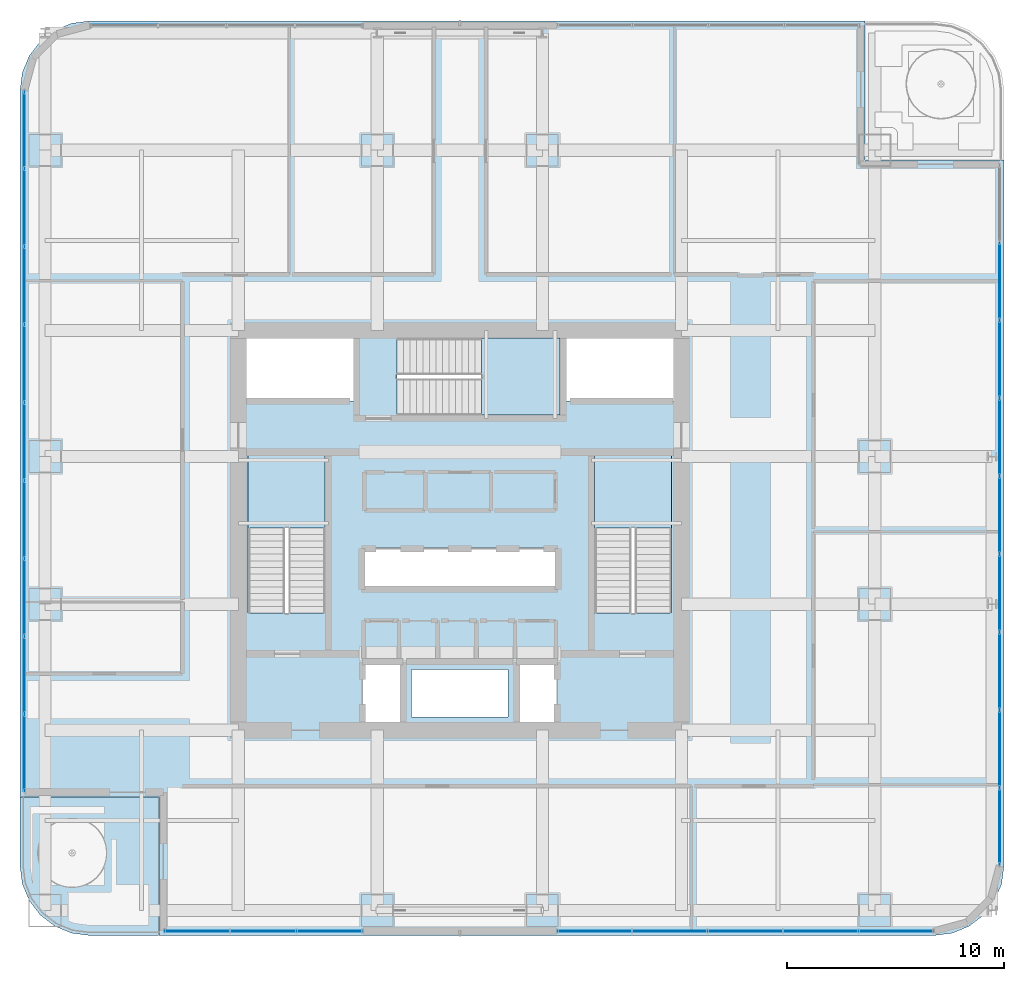
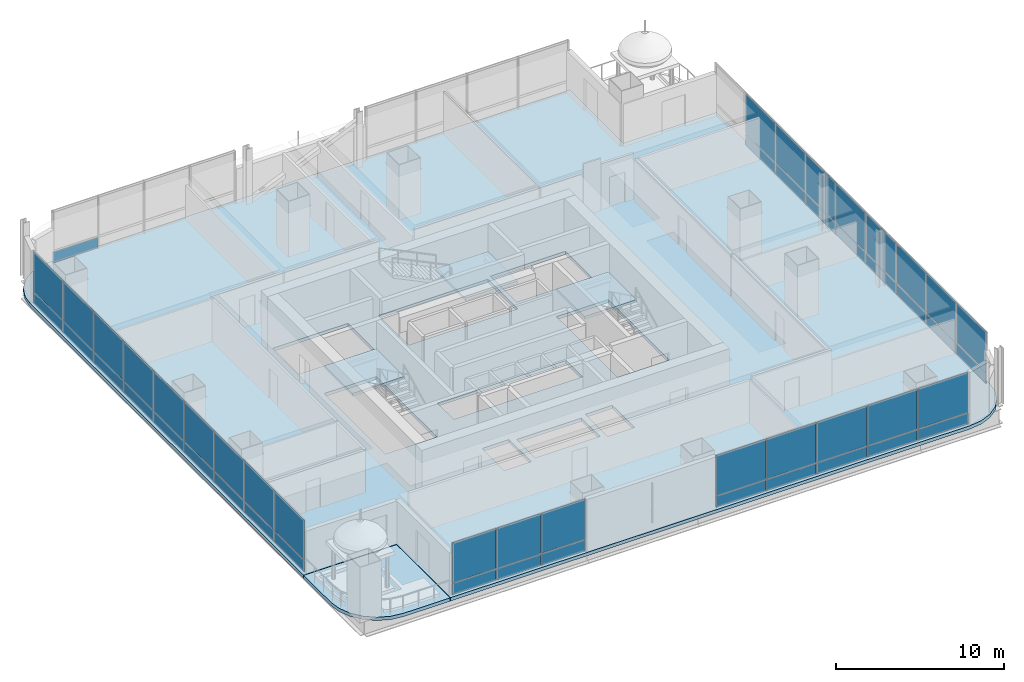
# One storey, part 23 of 37: 51 plates, 5 slabs, 8 elements without a shape of their own.
"""IFC4 building model written with IfcOpenShell, lengths in metres."""

from ifc_helpers import new_model, si_unit, direction, frame, origin, origin_2d, place, context, subcontext, project, spatial, polyline, rectangle, outline, extrude, material, layer, layer_set, type_object, element, aggregate, save


model = new_model("IFC4")

# Units and contexts
model_context = context("Model", 3, precision=1e-05, world=origin(), true_north=direction((0.0, 1.0)))
body_context = subcontext(model_context, "Body", "Model", "MODEL_VIEW")
ifc_project = project(units=[si_unit("LENGTHUNIT", "METRE"), si_unit("AREAUNIT", "SQUARE_METRE"), si_unit("VOLUMEUNIT", "CUBIC_METRE"), si_unit("PLANEANGLEUNIT", "RADIAN"), si_unit("MASSUNIT", "GRAM", prefix="KILO")], contexts=[model_context])

# Site, building, storey
site_placement = place(None, origin())
site = spatial("IfcSite", under=ifc_project, at=site_placement, CompositionType="ELEMENT")
building_placement = place(site_placement, origin())
building = spatial("IfcBuilding", under=site, at=building_placement, Name="Punatoya Terracotta Tower", CompositionType="ELEMENT")
storey_placement = place(building_placement, frame((0.0, 0.0, 109.199951171875)))
storey = spatial("IfcBuildingStorey", under=building, at=storey_placement, Name="L25", CompositionType="ELEMENT", Elevation=109.199951171875)

# Curtain wall, plates
ifc_material_1 = material(Name="Aluminium 6063-T6 + Double Low-E Glass", Category="aluminium")
curtain_wall_type = type_object("IfcCurtainWallType", Name="CW-M1", PredefinedType="NOTDEFINED", material=ifc_material_1)
curtain_wall_1_placement = place(storey_placement, origin())
curtain_wall_1 = element("IfcCurtainWall", 1, at=curtain_wall_1_placement, inside=storey, type_object=curtain_wall_type, Name="L25 Curtain Wall CW-L25-S01-1", PredefinedType="NOTDEFINED")
ifc_material_2 = material(Name="Double Low-E Clear Vision Glass", Category="glass")
ifc_layer_1 = layer(ifc_material_2, 0.028076171875)
ifc_layer_set_1 = layer_set([ifc_layer_1], Name="Double Low-E Clear Vision Glass")
plate_type_1 = type_object("IfcPlateType", Name="PLT-GLZ-28", PredefinedType="CURTAIN_PANEL", material=ifc_layer_set_1)
plate_1_placement = place(storey_placement, frame((-12.11669921875, -18.449951171875, 0.89013671875), z_axis=(0.0, 0.0, 1.0), x_axis=(1.0, 0.0, 0.0)))
plate_1 = element("IfcPlate", 2, at=plate_1_placement, type_object=plate_type_1, Name="CW-L25-S01-1 Vision Glass Panel 1", PredefinedType="CURTAIN_PANEL", context=body_context, shape_type="SweptSolid", body=[
    extrude(rectangle(XDim=2.981689453125, YDim=0.028076171875, at=origin_2d()), origin(), (0.0, 0.0, 1.0), 2.8798828125),
])
plate_2_placement = place(storey_placement, frame((-9.050048828125, -18.449951171875, 0.89013671875), z_axis=(0.0, 0.0, 1.0), x_axis=(1.0, 0.0, 0.0)))
plate_2 = element("IfcPlate", 3, at=plate_2_placement, type_object=plate_type_1, Name="CW-L25-S01-1 Vision Glass Panel 2", PredefinedType="CURTAIN_PANEL", context=body_context, shape_type="SweptSolid", body=[
    extrude(rectangle(XDim=2.981689453125, YDim=0.028076171875, at=origin_2d()), origin(), (0.0, 0.0, 1.0), 2.8798828125),
])
plate_3_placement = place(storey_placement, frame((-5.9833984375, -18.449951171875, 0.89013671875), z_axis=(0.0, 0.0, 1.0), x_axis=(1.0, 0.0, 0.0)))
plate_3 = element("IfcPlate", 4, at=plate_3_placement, type_object=plate_type_1, Name="CW-L25-S01-1 Vision Glass Panel 3", PredefinedType="CURTAIN_PANEL", context=body_context, shape_type="SweptSolid", body=[
    extrude(rectangle(XDim=2.981689453125, YDim=0.028076171875, at=origin_2d()), origin(), (0.0, 0.0, 1.0), 2.8798828125),
])

curtain_wall_2_placement = place(storey_placement, origin())
curtain_wall_2 = element("IfcCurtainWall", 5, at=curtain_wall_2_placement, inside=storey, type_object=curtain_wall_type, Name="L25 Curtain Wall CW-L25-S01-2", PredefinedType="NOTDEFINED")
plate_4_placement = place(storey_placement, frame((6.188720703125, -18.449951171875, 0.89013671875), z_axis=(0.0, 0.0, 1.0), x_axis=(1.0, 0.0, 0.0)))
plate_4 = element("IfcPlate", 6, at=plate_4_placement, type_object=plate_type_1, Name="CW-L25-S01-2 Vision Glass Panel 1", PredefinedType="CURTAIN_PANEL", context=body_context, shape_type="SweptSolid", body=[
    extrude(rectangle(XDim=3.392333984375, YDim=0.028076171875, at=origin_2d()), origin(), (0.0, 0.0, 1.0), 2.8798828125),
])
plate_5_placement = place(storey_placement, frame((9.666015625, -18.449951171875, 0.89013671875), z_axis=(0.0, 0.0, 1.0), x_axis=(1.0, 0.0, 0.0)))
plate_5 = element("IfcPlate", 7, at=plate_5_placement, type_object=plate_type_1, Name="CW-L25-S01-2 Vision Glass Panel 2", PredefinedType="CURTAIN_PANEL", context=body_context, shape_type="SweptSolid", body=[
    extrude(rectangle(XDim=3.392333984375, YDim=0.028076171875, at=origin_2d()), origin(), (0.0, 0.0, 1.0), 2.8798828125),
])
plate_6_placement = place(storey_placement, frame((13.1435546875, -18.449951171875, 0.89013671875), z_axis=(0.0, 0.0, 1.0), x_axis=(1.0, 0.0, 0.0)))
plate_6 = element("IfcPlate", 8, at=plate_6_placement, type_object=plate_type_1, Name="CW-L25-S01-2 Vision Glass Panel 3", PredefinedType="CURTAIN_PANEL", context=body_context, shape_type="SweptSolid", body=[
    extrude(rectangle(XDim=3.392333984375, YDim=0.028076171875, at=origin_2d()), origin(), (0.0, 0.0, 1.0), 2.8798828125),
])
plate_7_placement = place(storey_placement, frame((16.620849609375, -18.449951171875, 0.89013671875), z_axis=(0.0, 0.0, 1.0), x_axis=(1.0, 0.0, 0.0)))
plate_7 = element("IfcPlate", 9, at=plate_7_placement, type_object=plate_type_1, Name="CW-L25-S01-2 Vision Glass Panel 4", PredefinedType="CURTAIN_PANEL", context=body_context, shape_type="SweptSolid", body=[
    extrude(rectangle(XDim=3.392333984375, YDim=0.028076171875, at=origin_2d()), origin(), (0.0, 0.0, 1.0), 2.8798828125),
])
plate_8_placement = place(storey_placement, frame((20.09814453125, -18.449951171875, 0.89013671875), z_axis=(0.0, 0.0, 1.0), x_axis=(1.0, 0.0, 0.0)))
plate_8 = element("IfcPlate", 10, at=plate_8_placement, type_object=plate_type_1, Name="CW-L25-S01-2 Vision Glass Panel 5", PredefinedType="CURTAIN_PANEL", context=body_context, shape_type="SweptSolid", body=[
    extrude(rectangle(XDim=3.392333984375, YDim=0.028076171875, at=origin_2d()), origin(), (0.0, 0.0, 1.0), 2.8798828125),
])

curtain_wall_3_placement = place(storey_placement, origin())
curtain_wall_3 = element("IfcCurtainWall", 11, at=curtain_wall_3_placement, inside=storey, type_object=curtain_wall_type, Name="L25 Curtain Wall CW-L25-E05-1", PredefinedType="NOTDEFINED")
plate_9_placement = place(storey_placement, frame((24.85009765625, -13.643310546875, 0.89013671875), z_axis=(0.0, 0.0, 1.0), x_axis=(0.0, 1.0, 0.0)))
plate_9 = element("IfcPlate", 12, at=plate_9_placement, type_object=plate_type_1, Name="CW-L25-E05-1 Vision Glass Panel 1", PredefinedType="CURTAIN_PANEL", context=body_context, shape_type="SweptSolid", body=[
    extrude(rectangle(XDim=3.50244140625, YDim=0.028076171875, at=origin_2d()), origin(), (0.0, 0.0, 1.0), 2.8798828125),
])
plate_10_placement = place(storey_placement, frame((24.85009765625, -10.0556640625, 0.89013671875), z_axis=(0.0, 0.0, 1.0), x_axis=(0.0, 1.0, 0.0)))
plate_10 = element("IfcPlate", 13, at=plate_10_placement, type_object=plate_type_1, Name="CW-L25-E05-1 Vision Glass Panel 2", PredefinedType="CURTAIN_PANEL", context=body_context, shape_type="SweptSolid", body=[
    extrude(rectangle(XDim=3.50244140625, YDim=0.028076171875, at=origin_2d()), origin(), (0.0, 0.0, 1.0), 2.8798828125),
])
plate_11_placement = place(storey_placement, frame((24.85009765625, -6.46826171875, 0.89013671875), z_axis=(0.0, 0.0, 1.0), x_axis=(0.0, 1.0, 0.0)))
plate_11 = element("IfcPlate", 14, at=plate_11_placement, type_object=plate_type_1, Name="CW-L25-E05-1 Vision Glass Panel 3", PredefinedType="CURTAIN_PANEL", context=body_context, shape_type="SweptSolid", body=[
    extrude(rectangle(XDim=3.50244140625, YDim=0.028076171875, at=origin_2d()), origin(), (0.0, 0.0, 1.0), 2.8798828125),
])
plate_12_placement = place(storey_placement, frame((24.85009765625, -2.880859375, 0.89013671875), z_axis=(0.0, 0.0, 1.0), x_axis=(0.0, 1.0, 0.0)))
plate_12 = element("IfcPlate", 15, at=plate_12_placement, type_object=plate_type_1, Name="CW-L25-E05-1 Vision Glass Panel 4", PredefinedType="CURTAIN_PANEL", context=body_context, shape_type="SweptSolid", body=[
    extrude(rectangle(XDim=3.50244140625, YDim=0.028076171875, at=origin_2d()), origin(), (0.0, 0.0, 1.0), 2.8798828125),
])
plate_13_placement = place(storey_placement, frame((24.85009765625, 0.70654296875, 0.89013671875), z_axis=(0.0, 0.0, 1.0), x_axis=(0.0, 1.0, 0.0)))
plate_13 = element("IfcPlate", 16, at=plate_13_placement, type_object=plate_type_1, Name="CW-L25-E05-1 Vision Glass Panel 5", PredefinedType="CURTAIN_PANEL", context=body_context, shape_type="SweptSolid", body=[
    extrude(rectangle(XDim=3.50244140625, YDim=0.028076171875, at=origin_2d()), origin(), (0.0, 0.0, 1.0), 2.8798828125),
])
plate_14_placement = place(storey_placement, frame((24.85009765625, 4.2939453125, 0.89013671875), z_axis=(0.0, 0.0, 1.0), x_axis=(0.0, 1.0, 0.0)))
plate_14 = element("IfcPlate", 17, at=plate_14_placement, type_object=plate_type_1, Name="CW-L25-E05-1 Vision Glass Panel 6", PredefinedType="CURTAIN_PANEL", context=body_context, shape_type="SweptSolid", body=[
    extrude(rectangle(XDim=3.50244140625, YDim=0.028076171875, at=origin_2d()), origin(), (0.0, 0.0, 1.0), 2.8798828125),
])
plate_15_placement = place(storey_placement, frame((24.85009765625, 7.88134765625, 0.89013671875), z_axis=(0.0, 0.0, 1.0), x_axis=(0.0, 1.0, 0.0)))
plate_15 = element("IfcPlate", 18, at=plate_15_placement, type_object=plate_type_1, Name="CW-L25-E05-1 Vision Glass Panel 7", PredefinedType="CURTAIN_PANEL", context=body_context, shape_type="SweptSolid", body=[
    extrude(rectangle(XDim=3.50244140625, YDim=0.028076171875, at=origin_2d()), origin(), (0.0, 0.0, 1.0), 2.8798828125),
])
plate_16_placement = place(storey_placement, frame((24.85009765625, 11.468994140625, 0.89013671875), z_axis=(0.0, 0.0, 1.0), x_axis=(0.0, 1.0, 0.0)))
plate_16 = element("IfcPlate", 19, at=plate_16_placement, type_object=plate_type_1, Name="CW-L25-E05-1 Vision Glass Panel 8", PredefinedType="CURTAIN_PANEL", context=body_context, shape_type="SweptSolid", body=[
    extrude(rectangle(XDim=3.50244140625, YDim=0.028076171875, at=origin_2d()), origin(), (0.0, 0.0, 1.0), 2.8798828125),
])

curtain_wall_4_placement = place(storey_placement, origin())
curtain_wall_4 = element("IfcCurtainWall", 20, at=curtain_wall_4_placement, inside=storey, type_object=curtain_wall_type, Name="L25 Curtain Wall CW-L25-W12-1", PredefinedType="NOTDEFINED")
plate_17_placement = place(storey_placement, frame((-20.050048828125, 18.443115234375, 0.89013671875), z_axis=(0.0, 0.0, 1.0), x_axis=(0.0, -1.0, 0.0)))
plate_17 = element("IfcPlate", 21, at=plate_17_placement, type_object=plate_type_1, Name="CW-L25-W12-1 Vision Glass Panel 1", PredefinedType="CURTAIN_PANEL", context=body_context, shape_type="SweptSolid", body=[
    extrude(rectangle(XDim=3.50244140625, YDim=0.028076171875, at=origin_2d()), origin(), (0.0, 0.0, 1.0), 2.8798828125),
])
plate_18_placement = place(storey_placement, frame((-20.050048828125, 14.855712890625, 0.89013671875), z_axis=(0.0, 0.0, 1.0), x_axis=(0.0, -1.0, 0.0)))
plate_18 = element("IfcPlate", 22, at=plate_18_placement, type_object=plate_type_1, Name="CW-L25-W12-1 Vision Glass Panel 2", PredefinedType="CURTAIN_PANEL", context=body_context, shape_type="SweptSolid", body=[
    extrude(rectangle(XDim=3.50244140625, YDim=0.028076171875, at=origin_2d()), origin(), (0.0, 0.0, 1.0), 2.8798828125),
])
plate_19_placement = place(storey_placement, frame((-20.050048828125, 11.268310546875, 0.89013671875), z_axis=(0.0, 0.0, 1.0), x_axis=(0.0, -1.0, 0.0)))
plate_19 = element("IfcPlate", 23, at=plate_19_placement, type_object=plate_type_1, Name="CW-L25-W12-1 Vision Glass Panel 3", PredefinedType="CURTAIN_PANEL", context=body_context, shape_type="SweptSolid", body=[
    extrude(rectangle(XDim=3.50244140625, YDim=0.028076171875, at=origin_2d()), origin(), (0.0, 0.0, 1.0), 2.8798828125),
])
plate_20_placement = place(storey_placement, frame((-20.050048828125, 7.680908203125, 0.89013671875), z_axis=(0.0, 0.0, 1.0), x_axis=(0.0, -1.0, 0.0)))
plate_20 = element("IfcPlate", 24, at=plate_20_placement, type_object=plate_type_1, Name="CW-L25-W12-1 Vision Glass Panel 4", PredefinedType="CURTAIN_PANEL", context=body_context, shape_type="SweptSolid", body=[
    extrude(rectangle(XDim=3.50244140625, YDim=0.028076171875, at=origin_2d()), origin(), (0.0, 0.0, 1.0), 2.8798828125),
])
plate_21_placement = place(storey_placement, frame((-20.050048828125, 4.093505859375, 0.89013671875), z_axis=(0.0, 0.0, 1.0), x_axis=(0.0, -1.0, 0.0)))
plate_21 = element("IfcPlate", 25, at=plate_21_placement, type_object=plate_type_1, Name="CW-L25-W12-1 Vision Glass Panel 5", PredefinedType="CURTAIN_PANEL", context=body_context, shape_type="SweptSolid", body=[
    extrude(rectangle(XDim=3.50244140625, YDim=0.028076171875, at=origin_2d()), origin(), (0.0, 0.0, 1.0), 2.8798828125),
])
plate_22_placement = place(storey_placement, frame((-20.050048828125, 0.506103515625, 0.89013671875), z_axis=(0.0, 0.0, 1.0), x_axis=(0.0, -1.0, 0.0)))
plate_22 = element("IfcPlate", 26, at=plate_22_placement, type_object=plate_type_1, Name="CW-L25-W12-1 Vision Glass Panel 6", PredefinedType="CURTAIN_PANEL", context=body_context, shape_type="SweptSolid", body=[
    extrude(rectangle(XDim=3.50244140625, YDim=0.028076171875, at=origin_2d()), origin(), (0.0, 0.0, 1.0), 2.8798828125),
])
plate_23_placement = place(storey_placement, frame((-20.050048828125, -3.081298828125, 0.89013671875), z_axis=(0.0, 0.0, 1.0), x_axis=(0.0, -1.0, 0.0)))
plate_23 = element("IfcPlate", 27, at=plate_23_placement, type_object=plate_type_1, Name="CW-L25-W12-1 Vision Glass Panel 7", PredefinedType="CURTAIN_PANEL", context=body_context, shape_type="SweptSolid", body=[
    extrude(rectangle(XDim=3.50244140625, YDim=0.028076171875, at=origin_2d()), origin(), (0.0, 0.0, 1.0), 2.8798828125),
])
plate_24_placement = place(storey_placement, frame((-20.050048828125, -6.6689453125, 0.89013671875), z_axis=(0.0, 0.0, 1.0), x_axis=(0.0, -1.0, 0.0)))
plate_24 = element("IfcPlate", 28, at=plate_24_placement, type_object=plate_type_1, Name="CW-L25-W12-1 Vision Glass Panel 8", PredefinedType="CURTAIN_PANEL", context=body_context, shape_type="SweptSolid", body=[
    extrude(rectangle(XDim=3.50244140625, YDim=0.028076171875, at=origin_2d()), origin(), (0.0, 0.0, 1.0), 2.8798828125),
])
plate_25_placement = place(storey_placement, frame((-20.050048828125, -10.25634765625, 0.89013671875), z_axis=(0.0, 0.0, 1.0), x_axis=(0.0, -1.0, 0.0)))
plate_25 = element("IfcPlate", 29, at=plate_25_placement, type_object=plate_type_1, Name="CW-L25-W12-1 Vision Glass Panel 9", PredefinedType="CURTAIN_PANEL", context=body_context, shape_type="SweptSolid", body=[
    extrude(rectangle(XDim=3.50244140625, YDim=0.028076171875, at=origin_2d()), origin(), (0.0, 0.0, 1.0), 2.8798828125),
])

# Plate
ifc_material_3 = material(Name="Insulated Terracotta-Backed Spandrel Panel", Category="masonry")
ifc_layer_2 = layer(ifc_material_3, 0.044921875)
ifc_layer_set_2 = layer_set([ifc_layer_2], Name="Insulated Terracotta-Backed Spandrel Panel")
plate_type_2 = type_object("IfcPlateType", Name="PLT-SPN-45", PredefinedType="CURTAIN_PANEL", material=ifc_layer_set_2)
plate_26_placement = place(storey_placement, frame((-12.11669921875, -18.449951171875, 0.0400390625), z_axis=(0.0, 0.0, 1.0), x_axis=(1.0, 0.0, 0.0)))
plate_26 = element("IfcPlate", 30, at=plate_26_placement, type_object=plate_type_2, Name="CW-L25-S01-1 Terracotta Spandrel Panel 1", PredefinedType="CURTAIN_PANEL", context=body_context, shape_type="SweptSolid", body=[
    extrude(rectangle(XDim=2.981689453125, YDim=0.044921875, at=origin_2d()), origin(), (0.0, 0.0, 1.0), 0.77490234375),
])

plate_27_placement = place(storey_placement, frame((-9.050048828125, -18.449951171875, 0.0400390625), z_axis=(0.0, 0.0, 1.0), x_axis=(1.0, 0.0, 0.0)))
plate_27 = element("IfcPlate", 31, at=plate_27_placement, type_object=plate_type_2, Name="CW-L25-S01-1 Terracotta Spandrel Panel 2", PredefinedType="CURTAIN_PANEL", context=body_context, shape_type="SweptSolid", body=[
    extrude(rectangle(XDim=2.981689453125, YDim=0.044921875, at=origin_2d()), origin(), (0.0, 0.0, 1.0), 0.77490234375),
])

plate_28_placement = place(storey_placement, frame((-5.9833984375, -18.449951171875, 0.0400390625), z_axis=(0.0, 0.0, 1.0), x_axis=(1.0, 0.0, 0.0)))
plate_28 = element("IfcPlate", 32, at=plate_28_placement, type_object=plate_type_2, Name="CW-L25-S01-1 Terracotta Spandrel Panel 3", PredefinedType="CURTAIN_PANEL", context=body_context, shape_type="SweptSolid", body=[
    extrude(rectangle(XDim=2.981689453125, YDim=0.044921875, at=origin_2d()), origin(), (0.0, 0.0, 1.0), 0.77490234375),
])

aggregate(curtain_wall_1, [plate_26, plate_1, plate_27, plate_2, plate_28, plate_3])

plate_29_placement = place(storey_placement, frame((6.188720703125, -18.449951171875, 0.0400390625), z_axis=(0.0, 0.0, 1.0), x_axis=(1.0, 0.0, 0.0)))
plate_29 = element("IfcPlate", 33, at=plate_29_placement, type_object=plate_type_2, Name="CW-L25-S01-2 Terracotta Spandrel Panel 1", PredefinedType="CURTAIN_PANEL", context=body_context, shape_type="SweptSolid", body=[
    extrude(rectangle(XDim=3.392333984375, YDim=0.044921875, at=origin_2d()), origin(), (0.0, 0.0, 1.0), 0.77490234375),
])

plate_30_placement = place(storey_placement, frame((9.666015625, -18.449951171875, 0.0400390625), z_axis=(0.0, 0.0, 1.0), x_axis=(1.0, 0.0, 0.0)))
plate_30 = element("IfcPlate", 34, at=plate_30_placement, type_object=plate_type_2, Name="CW-L25-S01-2 Terracotta Spandrel Panel 2", PredefinedType="CURTAIN_PANEL", context=body_context, shape_type="SweptSolid", body=[
    extrude(rectangle(XDim=3.392333984375, YDim=0.044921875, at=origin_2d()), origin(), (0.0, 0.0, 1.0), 0.77490234375),
])

plate_31_placement = place(storey_placement, frame((13.1435546875, -18.449951171875, 0.0400390625), z_axis=(0.0, 0.0, 1.0), x_axis=(1.0, 0.0, 0.0)))
plate_31 = element("IfcPlate", 35, at=plate_31_placement, type_object=plate_type_2, Name="CW-L25-S01-2 Terracotta Spandrel Panel 3", PredefinedType="CURTAIN_PANEL", context=body_context, shape_type="SweptSolid", body=[
    extrude(rectangle(XDim=3.392333984375, YDim=0.044921875, at=origin_2d()), origin(), (0.0, 0.0, 1.0), 0.77490234375),
])

plate_32_placement = place(storey_placement, frame((16.620849609375, -18.449951171875, 0.0400390625), z_axis=(0.0, 0.0, 1.0), x_axis=(1.0, 0.0, 0.0)))
plate_32 = element("IfcPlate", 36, at=plate_32_placement, type_object=plate_type_2, Name="CW-L25-S01-2 Terracotta Spandrel Panel 4", PredefinedType="CURTAIN_PANEL", context=body_context, shape_type="SweptSolid", body=[
    extrude(rectangle(XDim=3.392333984375, YDim=0.044921875, at=origin_2d()), origin(), (0.0, 0.0, 1.0), 0.77490234375),
])

plate_33_placement = place(storey_placement, frame((20.09814453125, -18.449951171875, 0.0400390625), z_axis=(0.0, 0.0, 1.0), x_axis=(1.0, 0.0, 0.0)))
plate_33 = element("IfcPlate", 37, at=plate_33_placement, type_object=plate_type_2, Name="CW-L25-S01-2 Terracotta Spandrel Panel 5", PredefinedType="CURTAIN_PANEL", context=body_context, shape_type="SweptSolid", body=[
    extrude(rectangle(XDim=3.392333984375, YDim=0.044921875, at=origin_2d()), origin(), (0.0, 0.0, 1.0), 0.77490234375),
])

aggregate(curtain_wall_2, [plate_29, plate_4, plate_30, plate_5, plate_31, plate_6, plate_32, plate_7, plate_33, plate_8])

plate_34_placement = place(storey_placement, frame((24.85009765625, -13.643310546875, 0.0400390625), z_axis=(0.0, 0.0, 1.0), x_axis=(0.0, 1.0, 0.0)))
plate_34 = element("IfcPlate", 38, at=plate_34_placement, type_object=plate_type_2, Name="CW-L25-E05-1 Terracotta Spandrel Panel 1", PredefinedType="CURTAIN_PANEL", context=body_context, shape_type="SweptSolid", body=[
    extrude(rectangle(XDim=3.50244140625, YDim=0.044921875, at=origin_2d()), origin(), (0.0, 0.0, 1.0), 0.77490234375),
])

plate_35_placement = place(storey_placement, frame((24.85009765625, -10.0556640625, 0.0400390625), z_axis=(0.0, 0.0, 1.0), x_axis=(0.0, 1.0, 0.0)))
plate_35 = element("IfcPlate", 39, at=plate_35_placement, type_object=plate_type_2, Name="CW-L25-E05-1 Terracotta Spandrel Panel 2", PredefinedType="CURTAIN_PANEL", context=body_context, shape_type="SweptSolid", body=[
    extrude(rectangle(XDim=3.50244140625, YDim=0.044921875, at=origin_2d()), origin(), (0.0, 0.0, 1.0), 0.77490234375),
])

plate_36_placement = place(storey_placement, frame((24.85009765625, -6.46826171875, 0.0400390625), z_axis=(0.0, 0.0, 1.0), x_axis=(0.0, 1.0, 0.0)))
plate_36 = element("IfcPlate", 40, at=plate_36_placement, type_object=plate_type_2, Name="CW-L25-E05-1 Terracotta Spandrel Panel 3", PredefinedType="CURTAIN_PANEL", context=body_context, shape_type="SweptSolid", body=[
    extrude(rectangle(XDim=3.50244140625, YDim=0.044921875, at=origin_2d()), origin(), (0.0, 0.0, 1.0), 0.77490234375),
])

plate_37_placement = place(storey_placement, frame((24.85009765625, -2.880859375, 0.0400390625), z_axis=(0.0, 0.0, 1.0), x_axis=(0.0, 1.0, 0.0)))
plate_37 = element("IfcPlate", 41, at=plate_37_placement, type_object=plate_type_2, Name="CW-L25-E05-1 Terracotta Spandrel Panel 4", PredefinedType="CURTAIN_PANEL", context=body_context, shape_type="SweptSolid", body=[
    extrude(rectangle(XDim=3.50244140625, YDim=0.044921875, at=origin_2d()), origin(), (0.0, 0.0, 1.0), 0.77490234375),
])

plate_38_placement = place(storey_placement, frame((24.85009765625, 0.70654296875, 0.0400390625), z_axis=(0.0, 0.0, 1.0), x_axis=(0.0, 1.0, 0.0)))
plate_38 = element("IfcPlate", 42, at=plate_38_placement, type_object=plate_type_2, Name="CW-L25-E05-1 Terracotta Spandrel Panel 5", PredefinedType="CURTAIN_PANEL", context=body_context, shape_type="SweptSolid", body=[
    extrude(rectangle(XDim=3.50244140625, YDim=0.044921875, at=origin_2d()), origin(), (0.0, 0.0, 1.0), 0.77490234375),
])

plate_39_placement = place(storey_placement, frame((24.85009765625, 4.2939453125, 0.0400390625), z_axis=(0.0, 0.0, 1.0), x_axis=(0.0, 1.0, 0.0)))
plate_39 = element("IfcPlate", 43, at=plate_39_placement, type_object=plate_type_2, Name="CW-L25-E05-1 Terracotta Spandrel Panel 6", PredefinedType="CURTAIN_PANEL", context=body_context, shape_type="SweptSolid", body=[
    extrude(rectangle(XDim=3.50244140625, YDim=0.044921875, at=origin_2d()), origin(), (0.0, 0.0, 1.0), 0.77490234375),
])

plate_40_placement = place(storey_placement, frame((24.85009765625, 7.88134765625, 0.0400390625), z_axis=(0.0, 0.0, 1.0), x_axis=(0.0, 1.0, 0.0)))
plate_40 = element("IfcPlate", 44, at=plate_40_placement, type_object=plate_type_2, Name="CW-L25-E05-1 Terracotta Spandrel Panel 7", PredefinedType="CURTAIN_PANEL", context=body_context, shape_type="SweptSolid", body=[
    extrude(rectangle(XDim=3.50244140625, YDim=0.044921875, at=origin_2d()), origin(), (0.0, 0.0, 1.0), 0.77490234375),
])

plate_41_placement = place(storey_placement, frame((24.85009765625, 11.468994140625, 0.0400390625), z_axis=(0.0, 0.0, 1.0), x_axis=(0.0, 1.0, 0.0)))
plate_41 = element("IfcPlate", 45, at=plate_41_placement, type_object=plate_type_2, Name="CW-L25-E05-1 Terracotta Spandrel Panel 8", PredefinedType="CURTAIN_PANEL", context=body_context, shape_type="SweptSolid", body=[
    extrude(rectangle(XDim=3.50244140625, YDim=0.044921875, at=origin_2d()), origin(), (0.0, 0.0, 1.0), 0.77490234375),
])

aggregate(curtain_wall_3, [plate_34, plate_9, plate_35, plate_10, plate_36, plate_11, plate_37, plate_12, plate_38, plate_13, plate_39, plate_14, plate_40, plate_15, plate_41, plate_16])

# Curtain wall, plate
curtain_wall_5_placement = place(storey_placement, origin())
curtain_wall_5 = element("IfcCurtainWall", 46, at=curtain_wall_5_placement, inside=storey, type_object=curtain_wall_type, Name="L25 Curtain Wall CW-L25-N08-2", PredefinedType="NOTDEFINED")
plate_42_placement = place(storey_placement, frame((-15.46337890625, 23.25, 0.0400390625), z_axis=(0.0, 0.0, 1.0), x_axis=(-1.0, 0.0, 0.0)))
plate_42 = element("IfcPlate", 47, at=plate_42_placement, type_object=plate_type_2, Name="CW-L25-N08-2 Terracotta Spandrel Panel 4", PredefinedType="CURTAIN_PANEL", context=body_context, shape_type="SweptSolid", body=[
    extrude(rectangle(XDim=3.061767578125, YDim=0.044921875, at=origin_2d()), origin(), (0.0, 0.0, 1.0), 0.77490234375),
])
aggregate(curtain_wall_5, [plate_42])

# Plate
plate_43_placement = place(storey_placement, frame((-20.050048828125, 18.443115234375, 0.0400390625), z_axis=(0.0, 0.0, 1.0), x_axis=(0.0, -1.0, 0.0)))
plate_43 = element("IfcPlate", 48, at=plate_43_placement, type_object=plate_type_2, Name="CW-L25-W12-1 Terracotta Spandrel Panel 1", PredefinedType="CURTAIN_PANEL", context=body_context, shape_type="SweptSolid", body=[
    extrude(rectangle(XDim=3.50244140625, YDim=0.044921875, at=origin_2d()), origin(), (0.0, 0.0, 1.0), 0.77490234375),
])

plate_44_placement = place(storey_placement, frame((-20.050048828125, 14.855712890625, 0.0400390625), z_axis=(0.0, 0.0, 1.0), x_axis=(0.0, -1.0, 0.0)))
plate_44 = element("IfcPlate", 49, at=plate_44_placement, type_object=plate_type_2, Name="CW-L25-W12-1 Terracotta Spandrel Panel 2", PredefinedType="CURTAIN_PANEL", context=body_context, shape_type="SweptSolid", body=[
    extrude(rectangle(XDim=3.50244140625, YDim=0.044921875, at=origin_2d()), origin(), (0.0, 0.0, 1.0), 0.77490234375),
])

plate_45_placement = place(storey_placement, frame((-20.050048828125, 11.268310546875, 0.0400390625), z_axis=(0.0, 0.0, 1.0), x_axis=(0.0, -1.0, 0.0)))
plate_45 = element("IfcPlate", 50, at=plate_45_placement, type_object=plate_type_2, Name="CW-L25-W12-1 Terracotta Spandrel Panel 3", PredefinedType="CURTAIN_PANEL", context=body_context, shape_type="SweptSolid", body=[
    extrude(rectangle(XDim=3.50244140625, YDim=0.044921875, at=origin_2d()), origin(), (0.0, 0.0, 1.0), 0.77490234375),
])

plate_46_placement = place(storey_placement, frame((-20.050048828125, 7.680908203125, 0.0400390625), z_axis=(0.0, 0.0, 1.0), x_axis=(0.0, -1.0, 0.0)))
plate_46 = element("IfcPlate", 51, at=plate_46_placement, type_object=plate_type_2, Name="CW-L25-W12-1 Terracotta Spandrel Panel 4", PredefinedType="CURTAIN_PANEL", context=body_context, shape_type="SweptSolid", body=[
    extrude(rectangle(XDim=3.50244140625, YDim=0.044921875, at=origin_2d()), origin(), (0.0, 0.0, 1.0), 0.77490234375),
])

plate_47_placement = place(storey_placement, frame((-20.050048828125, 4.093505859375, 0.0400390625), z_axis=(0.0, 0.0, 1.0), x_axis=(0.0, -1.0, 0.0)))
plate_47 = element("IfcPlate", 52, at=plate_47_placement, type_object=plate_type_2, Name="CW-L25-W12-1 Terracotta Spandrel Panel 5", PredefinedType="CURTAIN_PANEL", context=body_context, shape_type="SweptSolid", body=[
    extrude(rectangle(XDim=3.50244140625, YDim=0.044921875, at=origin_2d()), origin(), (0.0, 0.0, 1.0), 0.77490234375),
])

plate_48_placement = place(storey_placement, frame((-20.050048828125, 0.506103515625, 0.0400390625), z_axis=(0.0, 0.0, 1.0), x_axis=(0.0, -1.0, 0.0)))
plate_48 = element("IfcPlate", 53, at=plate_48_placement, type_object=plate_type_2, Name="CW-L25-W12-1 Terracotta Spandrel Panel 6", PredefinedType="CURTAIN_PANEL", context=body_context, shape_type="SweptSolid", body=[
    extrude(rectangle(XDim=3.50244140625, YDim=0.044921875, at=origin_2d()), origin(), (0.0, 0.0, 1.0), 0.77490234375),
])

plate_49_placement = place(storey_placement, frame((-20.050048828125, -3.081298828125, 0.0400390625), z_axis=(0.0, 0.0, 1.0), x_axis=(0.0, -1.0, 0.0)))
plate_49 = element("IfcPlate", 54, at=plate_49_placement, type_object=plate_type_2, Name="CW-L25-W12-1 Terracotta Spandrel Panel 7", PredefinedType="CURTAIN_PANEL", context=body_context, shape_type="SweptSolid", body=[
    extrude(rectangle(XDim=3.50244140625, YDim=0.044921875, at=origin_2d()), origin(), (0.0, 0.0, 1.0), 0.77490234375),
])

plate_50_placement = place(storey_placement, frame((-20.050048828125, -6.6689453125, 0.0400390625), z_axis=(0.0, 0.0, 1.0), x_axis=(0.0, -1.0, 0.0)))
plate_50 = element("IfcPlate", 55, at=plate_50_placement, type_object=plate_type_2, Name="CW-L25-W12-1 Terracotta Spandrel Panel 8", PredefinedType="CURTAIN_PANEL", context=body_context, shape_type="SweptSolid", body=[
    extrude(rectangle(XDim=3.50244140625, YDim=0.044921875, at=origin_2d()), origin(), (0.0, 0.0, 1.0), 0.77490234375),
])

plate_51_placement = place(storey_placement, frame((-20.050048828125, -10.25634765625, 0.0400390625), z_axis=(0.0, 0.0, 1.0), x_axis=(0.0, -1.0, 0.0)))
plate_51 = element("IfcPlate", 56, at=plate_51_placement, type_object=plate_type_2, Name="CW-L25-W12-1 Terracotta Spandrel Panel 9", PredefinedType="CURTAIN_PANEL", context=body_context, shape_type="SweptSolid", body=[
    extrude(rectangle(XDim=3.50244140625, YDim=0.044921875, at=origin_2d()), origin(), (0.0, 0.0, 1.0), 0.77490234375),
])

aggregate(curtain_wall_4, [plate_43, plate_17, plate_44, plate_18, plate_45, plate_19, plate_46, plate_20, plate_47, plate_21, plate_48, plate_22, plate_49, plate_23, plate_50, plate_24, plate_51, plate_25])

# Stair, slab
ifc_material_4 = material(Name="Concrete C40/50", Category="concrete")
stair_type_1 = type_object("IfcStairType", Name="STR-TER-1450", PredefinedType="HALF_TURN_STAIR", material=ifc_material_4)
stair_1_placement = place(storey_placement, origin())
stair_1 = element("IfcStair", 57, at=stair_1_placement, inside=storey, type_object=stair_type_1, Name="L25 Protected Core Exit Stair ST-3", PredefinedType="HALF_TURN_STAIR")
ifc_layer_3 = layer(ifc_material_4, 0.1650390625)
ifc_layer_set_3 = layer_set([ifc_layer_3], Name="Concrete C40/50")
slab_type_1 = type_object("IfcSlabType", Name="SLB-LND-165", PredefinedType="LANDING", material=ifc_layer_set_3)
slab_1_placement = place(storey_placement, frame((0.0, 0.0, 1.824951171875)))
slab_1 = element("IfcSlab", 58, at=slab_1_placement, type_object=slab_type_1, Name="ST-3 landing 1", PredefinedType="LANDING", context=body_context, shape_type="SweptSolid", body=[
    extrude(outline(polyline([(1.0, 5.300048828125), (4.60009765625, 5.300048828125), (4.60009765625, 8.85009765625), (1.0, 8.85009765625), (1.0, 5.300048828125)])), origin(), (0.0, 0.0, 1.0), 0.2001953125),
])
aggregate(stair_1, [slab_1])

stair_type_2 = type_object("IfcStairType", Name="STR-CORE-1550", PredefinedType="HALF_TURN_STAIR", material=ifc_material_4)
stair_2_placement = place(storey_placement, origin())
stair_2 = element("IfcStair", 59, at=stair_2_placement, inside=storey, type_object=stair_type_2, Name="L25 Protected Core Exit Stair ST-1", PredefinedType="HALF_TURN_STAIR")
ifc_layer_4 = layer(ifc_material_4, 0.179931640625)
ifc_layer_set_4 = layer_set([ifc_layer_4], Name="Concrete C40/50")
slab_type_2 = type_object("IfcSlabType", Name="SLB-LND-180", PredefinedType="LANDING", material=ifc_layer_set_4)
slab_2_placement = place(storey_placement, frame((0.0, 0.0, 1.824951171875)))
slab_2 = element("IfcSlab", 60, at=slab_2_placement, type_object=slab_type_2, Name="ST-1 landing 1", PredefinedType="LANDING", context=body_context, shape_type="SweptSolid", body=[
    extrude(outline(polyline([(-6.199951171875, 0.10009765625), (-6.199951171875, 3.449951171875), (-9.75, 3.449951171875), (-9.75, 0.10009765625), (-6.199951171875, 0.10009765625)])), origin(), (0.0, 0.0, 1.0), 0.2001953125),
])
aggregate(stair_2, [slab_2])

stair_type_3 = type_object("IfcStairType", Name="STR-LOB-1650", PredefinedType="HALF_TURN_STAIR", material=ifc_material_4)
stair_3_placement = place(storey_placement, origin())
stair_3 = element("IfcStair", 61, at=stair_3_placement, inside=storey, type_object=stair_type_3, Name="L25 Protected Core Exit Stair ST-2", PredefinedType="HALF_TURN_STAIR")
slab_3_placement = place(storey_placement, frame((0.0, 0.0, 1.824951171875)))
slab_3 = element("IfcSlab", 62, at=slab_3_placement, type_object=slab_type_2, Name="ST-2 landing 1", PredefinedType="LANDING", context=body_context, shape_type="SweptSolid", body=[
    extrude(outline(polyline([(9.75, 0.10009765625), (9.75, 3.449951171875), (6.199951171875, 3.449951171875), (6.199951171875, 0.10009765625), (9.75, 0.10009765625)])), origin(), (0.0, 0.0, 1.0), 0.2001953125),
])
aggregate(stair_3, [slab_3])

# Slabs
ifc_layer_5 = layer(ifc_material_4, 0.239990234375)
ifc_layer_set_5 = layer_set([ifc_layer_5], Name="Concrete C40/50")
slab_type_3 = type_object("IfcSlabType", Name="SLB-OFF-240", PredefinedType="FLOOR", material=ifc_layer_set_5)
slab_4_placement = place(storey_placement, frame((0.0, 0.0, -0.239990234375)))
element("IfcSlab", 63, at=slab_4_placement, inside=storey, type_object=slab_type_3, Name="L25 Structural Floor Slab", PredefinedType="FLOOR", context=body_context, shape_type="SweptSolid", body=[
    extrude(outline(polyline([(-13.85009765625, -18.64990234375), (-13.85009765625, -12.25), (-20.25, -12.25), (-20.25, 20.25), (-20.14111328125, 21.078125), (-19.8212890625, 21.85009765625), (-19.312744140625, 22.5126953125), (-18.64990234375, 23.021240234375), (-17.878173828125, 23.341064453125), (-17.050048828125, 23.449951171875), (18.64990234375, 23.449951171875), (18.64990234375, 17.050048828125), (25.050048828125, 17.050048828125), (25.050048828125, -15.449951171875), (24.94091796875, -16.2783203125), (24.621337890625, -17.050048828125), (24.11279296875, -17.712646484375), (23.449951171875, -18.22119140625), (22.67822265625, -18.541015625), (21.85009765625, -18.64990234375), (-13.85009765625, -18.64990234375)]), holes=[polyline([(-2.6298828125, -6.179931640625), (-4.469970703125, -6.179931640625), (-4.469970703125, -8.820068359375), (-2.6298828125, -8.820068359375), (-2.6298828125, -6.179931640625)]), polyline([(0.02001953125, -8.594970703125), (2.219970703125, -8.594970703125), (2.219970703125, -6.405029296875), (0.02001953125, -6.405029296875), (-0.02001953125, -6.405029296875), (-2.219970703125, -6.405029296875), (-2.219970703125, -8.594970703125), (-0.02001953125, -8.594970703125), (0.02001953125, -8.594970703125)]), polyline([(-2.219970703125, -2.719970703125), (-2.179931640625, -2.719970703125), (-0.02001953125, -2.719970703125), (0.02001953125, -2.719970703125), (2.179931640625, -2.719970703125), (2.219970703125, -2.719970703125), (4.419921875, -2.719970703125), (4.419921875, -0.780029296875), (2.219970703125, -0.780029296875), (2.179931640625, -0.780029296875), (0.02001953125, -0.780029296875), (-0.02001953125, -0.780029296875), (-2.179931640625, -0.780029296875), (-2.219970703125, -0.780029296875), (-4.419921875, -0.780029296875), (-4.419921875, -2.719970703125), (-2.219970703125, -2.719970703125)]), polyline([(-6.199951171875, 3.449951171875), (-9.75, 3.449951171875), (-9.75, -3.79931640625), (-6.199951171875, -3.79931640625), (-6.199951171875, 3.449951171875)]), polyline([(4.60009765625, 5.300048828125), (4.60009765625, 8.85009765625), (-2.899169921875, 8.85009765625), (-2.899169921875, 5.300048828125), (4.60009765625, 5.300048828125)]), polyline([(-4.89990234375, 9.050048828125), (-10.050048828125, 9.050048828125), (-10.050048828125, 5.949951171875), (-4.89990234375, 5.949951171875), (-4.89990234375, 9.050048828125)]), polyline([(4.469970703125, -8.820068359375), (4.469970703125, -6.179931640625), (2.6298828125, -6.179931640625), (2.6298828125, -8.820068359375), (4.469970703125, -8.820068359375)]), polyline([(9.75, 3.449951171875), (6.199951171875, 3.449951171875), (6.199951171875, -3.79931640625), (9.75, -3.79931640625), (9.75, 3.449951171875)]), polyline([(10.050048828125, 5.949951171875), (10.050048828125, 9.050048828125), (4.89990234375, 9.050048828125), (4.89990234375, 5.949951171875), (10.050048828125, 5.949951171875)])]), origin(), (0.0, 0.0, 1.0), 0.239990234375),
])
slab_5_placement = place(storey_placement, frame((0.0, 0.0, -0.239990234375)))
element("IfcSlab", 64, at=slab_5_placement, inside=storey, type_object=slab_type_3, Name="L25 SW Corner Sky-Court Terrace Slab", PredefinedType="FLOOR", context=body_context, shape_type="SweptSolid", body=[
    extrude(outline(polyline([(-17.050048828125, -18.64990234375), (-17.878173828125, -18.541015625), (-18.64990234375, -18.22119140625), (-19.312744140625, -17.712646484375), (-19.8212890625, -17.050048828125), (-20.14111328125, -16.2783203125), (-20.25, -15.449951171875), (-20.25, -12.27001953125), (-13.8701171875, -12.27001953125), (-13.8701171875, -18.64990234375), (-17.050048828125, -18.64990234375)])), origin(), (0.0, 0.0, 1.0), 0.239990234375),
])

save(model, "model.ifc")
